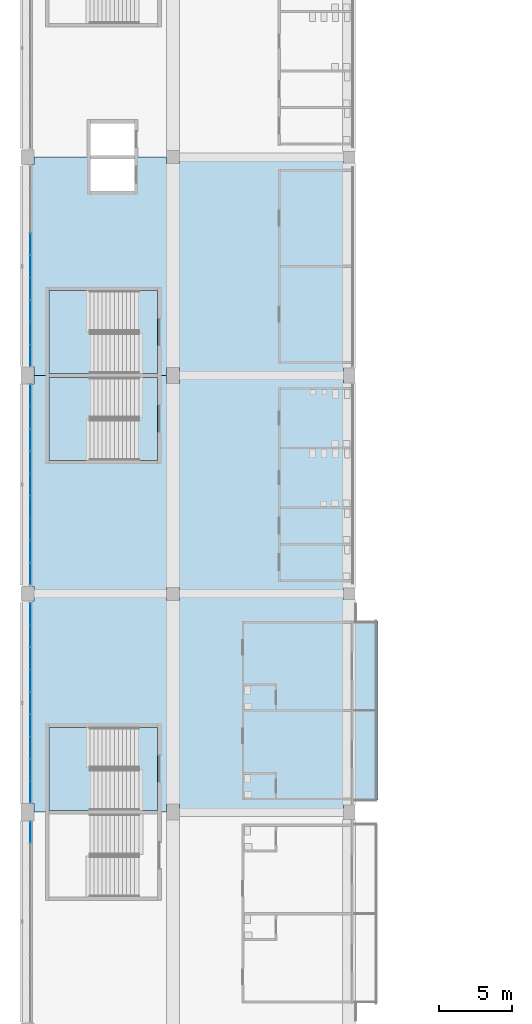
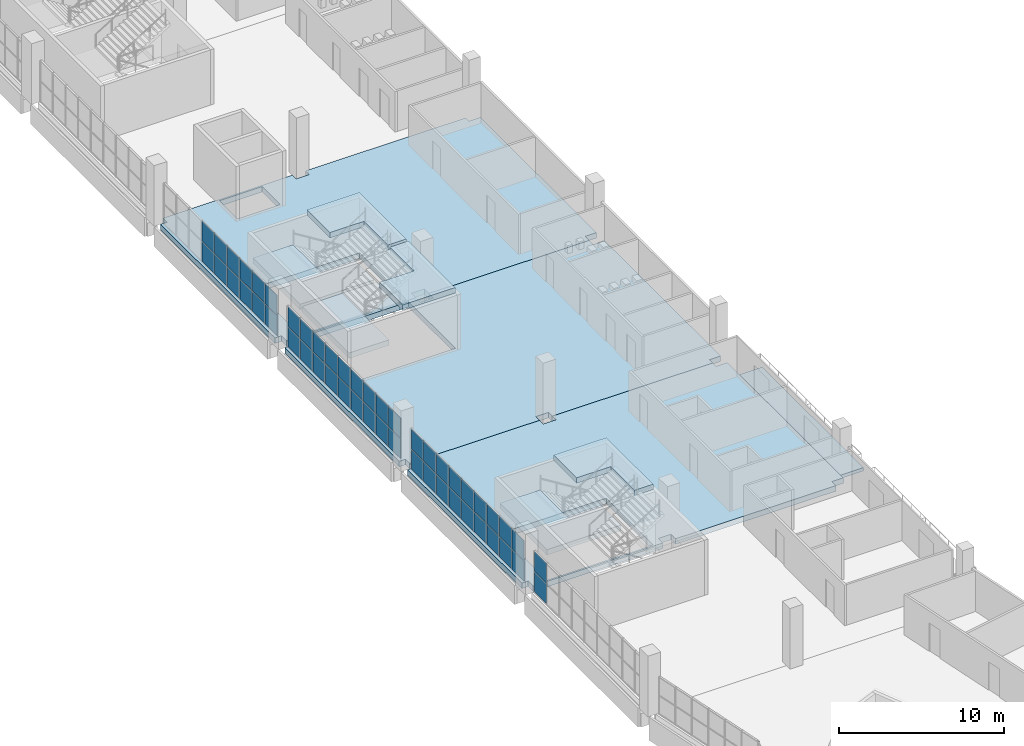
# One storey, part 60 of 199: 50 plates, 10 slabs, 7 elements without a shape of their own.
"""IFC4 building model written with IfcOpenShell, lengths in metres."""

from ifc_helpers import new_model, si_unit, direction, frame, origin, origin_2d, place, context, subcontext, project, spatial, polyline, rectangle, outline, extrude, material, layer, layer_set, type_object, element, aggregate, save


model = new_model("IFC4")

# Units and contexts
model_context = context("Model", 3, precision=1e-05, world=origin(), true_north=direction((0.0, 1.0)))
body_context = subcontext(model_context, "Body", "Model", "MODEL_VIEW")
ifc_project = project(units=[si_unit("LENGTHUNIT", "METRE"), si_unit("AREAUNIT", "SQUARE_METRE"), si_unit("VOLUMEUNIT", "CUBIC_METRE"), si_unit("PLANEANGLEUNIT", "RADIAN"), si_unit("MASSUNIT", "GRAM", prefix="KILO")], contexts=[model_context])

# Site, building, storey
site_placement = place(None, origin())
site = spatial("IfcSite", under=ifc_project, at=site_placement, CompositionType="ELEMENT")
building_placement = place(site_placement, origin())
building = spatial("IfcBuilding", under=site, at=building_placement, Name="Ogive Plaza Stadium", CompositionType="ELEMENT")
storey_placement = place(building_placement, frame((0.0, 0.0, 9.0)))
storey = spatial("IfcBuildingStorey", under=building, at=storey_placement, Name="L02", CompositionType="ELEMENT", Elevation=9.0)

# Slab
ifc_material_1 = material(Name="Concrete C40/50", Category="concrete")
ifc_layer_1 = layer(ifc_material_1, 0.25)
ifc_layer_set_1 = layer_set([ifc_layer_1], Name="Concrete C40/50")
slab_type_1 = type_object("IfcSlabType", Name="Balcony slab 250", PredefinedType="FLOOR", material=ifc_layer_set_1)
slab_1_placement = place(storey_placement, frame((0.0, 0.0, -0.25)))
element("IfcSlab", 1, at=slab_1_placement, inside=storey, type_object=slab_type_1, Name="Suite terrace slab B22", PredefinedType="FLOOR", context=body_context, shape_type="SweptSolid", body=[
    extrude(outline(polyline([(-59.89990234375, -24.375), (-61.5, -24.375), (-61.5, -36.675048828125), (-59.89990234375, -36.675048828125), (-59.89990234375, -24.375)])), origin(), (0.0, 0.0, 1.0), 0.25),
])

# Curtain wall, plates
ifc_material_2 = material(Name="Bronze-anodised aluminium with laminated glass", Category="aluminium")
curtain_wall_type = type_object("IfcCurtainWallType", Name="Lancet curtain wall", PredefinedType="NOTDEFINED", material=ifc_material_2)
curtain_wall_1_placement = place(storey_placement, origin())
curtain_wall_1 = element("IfcCurtainWall", 2, at=curtain_wall_1_placement, inside=storey, type_object=curtain_wall_type, Name="CURTAIN WALL B21 L02", PredefinedType="NOTDEFINED")
ifc_material_3 = material(Name="Laminated glass", Category="glass")
ifc_layer_2 = layer(ifc_material_3, 0.028076171875)
ifc_layer_set_2 = layer_set([ifc_layer_2], Name="Laminated glass panel 28")
plate_type = type_object("IfcPlateType", Name="Laminated glass panel 28", PredefinedType="CURTAIN_PANEL", material=ifc_layer_set_2)
plate_1_placement = place(storey_placement, frame((-83.800048828125, -38.879150390625, 0.0498046875), z_axis=(0.0, 0.0, 1.0), x_axis=(0.0, 1.0, 0.0)))
plate_1 = element("IfcPlate", 3, at=plate_1_placement, type_object=plate_type, Name="CW-B21-L02 panel 9.1", PredefinedType="CURTAIN_PANEL", context=body_context, shape_type="SweptSolid", body=[
    extrude(rectangle(XDim=1.458251953125, YDim=0.028076171875, at=origin_2d()), origin(), (0.0, 0.0, 1.0), 1.469970703125),
])
plate_2_placement = place(storey_placement, frame((-83.800048828125, -38.879150390625, 1.56982421875), z_axis=(0.0, 0.0, 1.0), x_axis=(0.0, 1.0, 0.0)))
plate_2 = element("IfcPlate", 4, at=plate_2_placement, type_object=plate_type, Name="CW-B21-L02 panel 9.2", PredefinedType="CURTAIN_PANEL", context=body_context, shape_type="SweptSolid", body=[
    extrude(rectangle(XDim=1.458251953125, YDim=0.028076171875, at=origin_2d()), origin(), (0.0, 0.0, 1.0), 1.469970703125),
])
aggregate(curtain_wall_1, [plate_1, plate_2])

curtain_wall_2_placement = place(storey_placement, origin())
curtain_wall_2 = element("IfcCurtainWall", 5, at=curtain_wall_2_placement, inside=storey, type_object=curtain_wall_type, Name="CURTAIN WALL B22 L02", PredefinedType="NOTDEFINED")
plate_3_placement = place(storey_placement, frame((-83.800048828125, -36.120849609375, 0.0498046875), z_axis=(0.0, 0.0, 1.0), x_axis=(0.0, 1.0, 0.0)))
plate_3 = element("IfcPlate", 6, at=plate_3_placement, type_object=plate_type, Name="CW-B22-L02 panel 1.1", PredefinedType="CURTAIN_PANEL", context=body_context, shape_type="SweptSolid", body=[
    extrude(rectangle(XDim=1.458251953125, YDim=0.028076171875, at=origin_2d()), origin(), (0.0, 0.0, 1.0), 1.469970703125),
])
plate_4_placement = place(storey_placement, frame((-83.800048828125, -36.120849609375, 1.56982421875), z_axis=(0.0, 0.0, 1.0), x_axis=(0.0, 1.0, 0.0)))
plate_4 = element("IfcPlate", 7, at=plate_4_placement, type_object=plate_type, Name="CW-B22-L02 panel 1.2", PredefinedType="CURTAIN_PANEL", context=body_context, shape_type="SweptSolid", body=[
    extrude(rectangle(XDim=1.458251953125, YDim=0.028076171875, at=origin_2d()), origin(), (0.0, 0.0, 1.0), 1.469970703125),
])
plate_5_placement = place(storey_placement, frame((-83.800048828125, -34.60009765625, 0.0498046875), z_axis=(0.0, 0.0, 1.0), x_axis=(0.0, 1.0, 0.0)))
plate_5 = element("IfcPlate", 8, at=plate_5_placement, type_object=plate_type, Name="CW-B22-L02 panel 2.1", PredefinedType="CURTAIN_PANEL", context=body_context, shape_type="SweptSolid", body=[
    extrude(rectangle(XDim=1.4833984375, YDim=0.028076171875, at=origin_2d()), origin(), (0.0, 0.0, 1.0), 1.469970703125),
])
plate_6_placement = place(storey_placement, frame((-83.800048828125, -34.60009765625, 1.56982421875), z_axis=(0.0, 0.0, 1.0), x_axis=(0.0, 1.0, 0.0)))
plate_6 = element("IfcPlate", 9, at=plate_6_placement, type_object=plate_type, Name="CW-B22-L02 panel 2.2", PredefinedType="CURTAIN_PANEL", context=body_context, shape_type="SweptSolid", body=[
    extrude(rectangle(XDim=1.4833984375, YDim=0.028076171875, at=origin_2d()), origin(), (0.0, 0.0, 1.0), 1.469970703125),
])
plate_7_placement = place(storey_placement, frame((-83.800048828125, -33.066650390625, 0.0498046875), z_axis=(0.0, 0.0, 1.0), x_axis=(0.0, 1.0, 0.0)))
plate_7 = element("IfcPlate", 10, at=plate_7_placement, type_object=plate_type, Name="CW-B22-L02 panel 3.1", PredefinedType="CURTAIN_PANEL", context=body_context, shape_type="SweptSolid", body=[
    extrude(rectangle(XDim=1.4833984375, YDim=0.028076171875, at=origin_2d()), origin(), (0.0, 0.0, 1.0), 1.469970703125),
])
plate_8_placement = place(storey_placement, frame((-83.800048828125, -33.066650390625, 1.56982421875), z_axis=(0.0, 0.0, 1.0), x_axis=(0.0, 1.0, 0.0)))
plate_8 = element("IfcPlate", 11, at=plate_8_placement, type_object=plate_type, Name="CW-B22-L02 panel 3.2", PredefinedType="CURTAIN_PANEL", context=body_context, shape_type="SweptSolid", body=[
    extrude(rectangle(XDim=1.4833984375, YDim=0.028076171875, at=origin_2d()), origin(), (0.0, 0.0, 1.0), 1.469970703125),
])
plate_9_placement = place(storey_placement, frame((-83.800048828125, -31.533447265625, 0.0498046875), z_axis=(0.0, 0.0, 1.0), x_axis=(0.0, 1.0, 0.0)))
plate_9 = element("IfcPlate", 12, at=plate_9_placement, type_object=plate_type, Name="CW-B22-L02 panel 4.1", PredefinedType="CURTAIN_PANEL", context=body_context, shape_type="SweptSolid", body=[
    extrude(rectangle(XDim=1.4833984375, YDim=0.028076171875, at=origin_2d()), origin(), (0.0, 0.0, 1.0), 1.469970703125),
])
plate_10_placement = place(storey_placement, frame((-83.800048828125, -31.533447265625, 1.56982421875), z_axis=(0.0, 0.0, 1.0), x_axis=(0.0, 1.0, 0.0)))
plate_10 = element("IfcPlate", 13, at=plate_10_placement, type_object=plate_type, Name="CW-B22-L02 panel 4.2", PredefinedType="CURTAIN_PANEL", context=body_context, shape_type="SweptSolid", body=[
    extrude(rectangle(XDim=1.4833984375, YDim=0.028076171875, at=origin_2d()), origin(), (0.0, 0.0, 1.0), 1.469970703125),
])
plate_11_placement = place(storey_placement, frame((-83.800048828125, -30.0, 0.0498046875), z_axis=(0.0, 0.0, 1.0), x_axis=(0.0, 1.0, 0.0)))
plate_11 = element("IfcPlate", 14, at=plate_11_placement, type_object=plate_type, Name="CW-B22-L02 panel 5.1", PredefinedType="CURTAIN_PANEL", context=body_context, shape_type="SweptSolid", body=[
    extrude(rectangle(XDim=1.4833984375, YDim=0.028076171875, at=origin_2d()), origin(), (0.0, 0.0, 1.0), 1.469970703125),
])
plate_12_placement = place(storey_placement, frame((-83.800048828125, -30.0, 1.56982421875), z_axis=(0.0, 0.0, 1.0), x_axis=(0.0, 1.0, 0.0)))
plate_12 = element("IfcPlate", 15, at=plate_12_placement, type_object=plate_type, Name="CW-B22-L02 panel 5.2", PredefinedType="CURTAIN_PANEL", context=body_context, shape_type="SweptSolid", body=[
    extrude(rectangle(XDim=1.4833984375, YDim=0.028076171875, at=origin_2d()), origin(), (0.0, 0.0, 1.0), 1.469970703125),
])
plate_13_placement = place(storey_placement, frame((-83.800048828125, -28.466552734375, 0.0498046875), z_axis=(0.0, 0.0, 1.0), x_axis=(0.0, 1.0, 0.0)))
plate_13 = element("IfcPlate", 16, at=plate_13_placement, type_object=plate_type, Name="CW-B22-L02 panel 6.1", PredefinedType="CURTAIN_PANEL", context=body_context, shape_type="SweptSolid", body=[
    extrude(rectangle(XDim=1.4833984375, YDim=0.028076171875, at=origin_2d()), origin(), (0.0, 0.0, 1.0), 1.469970703125),
])
plate_14_placement = place(storey_placement, frame((-83.800048828125, -28.466552734375, 1.56982421875), z_axis=(0.0, 0.0, 1.0), x_axis=(0.0, 1.0, 0.0)))
plate_14 = element("IfcPlate", 17, at=plate_14_placement, type_object=plate_type, Name="CW-B22-L02 panel 6.2", PredefinedType="CURTAIN_PANEL", context=body_context, shape_type="SweptSolid", body=[
    extrude(rectangle(XDim=1.4833984375, YDim=0.028076171875, at=origin_2d()), origin(), (0.0, 0.0, 1.0), 1.469970703125),
])
plate_15_placement = place(storey_placement, frame((-83.800048828125, -26.933349609375, 0.0498046875), z_axis=(0.0, 0.0, 1.0), x_axis=(0.0, 1.0, 0.0)))
plate_15 = element("IfcPlate", 18, at=plate_15_placement, type_object=plate_type, Name="CW-B22-L02 panel 7.1", PredefinedType="CURTAIN_PANEL", context=body_context, shape_type="SweptSolid", body=[
    extrude(rectangle(XDim=1.4833984375, YDim=0.028076171875, at=origin_2d()), origin(), (0.0, 0.0, 1.0), 1.469970703125),
])
plate_16_placement = place(storey_placement, frame((-83.800048828125, -26.933349609375, 1.56982421875), z_axis=(0.0, 0.0, 1.0), x_axis=(0.0, 1.0, 0.0)))
plate_16 = element("IfcPlate", 19, at=plate_16_placement, type_object=plate_type, Name="CW-B22-L02 panel 7.2", PredefinedType="CURTAIN_PANEL", context=body_context, shape_type="SweptSolid", body=[
    extrude(rectangle(XDim=1.4833984375, YDim=0.028076171875, at=origin_2d()), origin(), (0.0, 0.0, 1.0), 1.469970703125),
])
plate_17_placement = place(storey_placement, frame((-83.800048828125, -25.39990234375, 0.0498046875), z_axis=(0.0, 0.0, 1.0), x_axis=(0.0, 1.0, 0.0)))
plate_17 = element("IfcPlate", 20, at=plate_17_placement, type_object=plate_type, Name="CW-B22-L02 panel 8.1", PredefinedType="CURTAIN_PANEL", context=body_context, shape_type="SweptSolid", body=[
    extrude(rectangle(XDim=1.4833984375, YDim=0.028076171875, at=origin_2d()), origin(), (0.0, 0.0, 1.0), 1.469970703125),
])
plate_18_placement = place(storey_placement, frame((-83.800048828125, -25.39990234375, 1.56982421875), z_axis=(0.0, 0.0, 1.0), x_axis=(0.0, 1.0, 0.0)))
plate_18 = element("IfcPlate", 21, at=plate_18_placement, type_object=plate_type, Name="CW-B22-L02 panel 8.2", PredefinedType="CURTAIN_PANEL", context=body_context, shape_type="SweptSolid", body=[
    extrude(rectangle(XDim=1.4833984375, YDim=0.028076171875, at=origin_2d()), origin(), (0.0, 0.0, 1.0), 1.469970703125),
])
plate_19_placement = place(storey_placement, frame((-83.800048828125, -23.879150390625, 0.0498046875), z_axis=(0.0, 0.0, 1.0), x_axis=(0.0, 1.0, 0.0)))
plate_19 = element("IfcPlate", 22, at=plate_19_placement, type_object=plate_type, Name="CW-B22-L02 panel 9.1", PredefinedType="CURTAIN_PANEL", context=body_context, shape_type="SweptSolid", body=[
    extrude(rectangle(XDim=1.458251953125, YDim=0.028076171875, at=origin_2d()), origin(), (0.0, 0.0, 1.0), 1.469970703125),
])
plate_20_placement = place(storey_placement, frame((-83.800048828125, -23.879150390625, 1.56982421875), z_axis=(0.0, 0.0, 1.0), x_axis=(0.0, 1.0, 0.0)))
plate_20 = element("IfcPlate", 23, at=plate_20_placement, type_object=plate_type, Name="CW-B22-L02 panel 9.2", PredefinedType="CURTAIN_PANEL", context=body_context, shape_type="SweptSolid", body=[
    extrude(rectangle(XDim=1.458251953125, YDim=0.028076171875, at=origin_2d()), origin(), (0.0, 0.0, 1.0), 1.469970703125),
])
aggregate(curtain_wall_2, [plate_3, plate_4, plate_5, plate_6, plate_7, plate_8, plate_9, plate_10, plate_11, plate_12, plate_13, plate_14, plate_15, plate_16, plate_17, plate_18, plate_19, plate_20])

curtain_wall_3_placement = place(storey_placement, origin())
curtain_wall_3 = element("IfcCurtainWall", 24, at=curtain_wall_3_placement, inside=storey, type_object=curtain_wall_type, Name="CURTAIN WALL B23 L02", PredefinedType="NOTDEFINED")
plate_21_placement = place(storey_placement, frame((-83.800048828125, -21.120849609375, 0.0498046875), z_axis=(0.0, 0.0, 1.0), x_axis=(0.0, 1.0, 0.0)))
plate_21 = element("IfcPlate", 25, at=plate_21_placement, type_object=plate_type, Name="CW-B23-L02 panel 1.1", PredefinedType="CURTAIN_PANEL", context=body_context, shape_type="SweptSolid", body=[
    extrude(rectangle(XDim=1.458251953125, YDim=0.028076171875, at=origin_2d()), origin(), (0.0, 0.0, 1.0), 1.469970703125),
])
plate_22_placement = place(storey_placement, frame((-83.800048828125, -21.120849609375, 1.56982421875), z_axis=(0.0, 0.0, 1.0), x_axis=(0.0, 1.0, 0.0)))
plate_22 = element("IfcPlate", 26, at=plate_22_placement, type_object=plate_type, Name="CW-B23-L02 panel 1.2", PredefinedType="CURTAIN_PANEL", context=body_context, shape_type="SweptSolid", body=[
    extrude(rectangle(XDim=1.458251953125, YDim=0.028076171875, at=origin_2d()), origin(), (0.0, 0.0, 1.0), 1.469970703125),
])
plate_23_placement = place(storey_placement, frame((-83.800048828125, -19.60009765625, 0.0498046875), z_axis=(0.0, 0.0, 1.0), x_axis=(0.0, 1.0, 0.0)))
plate_23 = element("IfcPlate", 27, at=plate_23_placement, type_object=plate_type, Name="CW-B23-L02 panel 2.1", PredefinedType="CURTAIN_PANEL", context=body_context, shape_type="SweptSolid", body=[
    extrude(rectangle(XDim=1.4833984375, YDim=0.028076171875, at=origin_2d()), origin(), (0.0, 0.0, 1.0), 1.469970703125),
])
plate_24_placement = place(storey_placement, frame((-83.800048828125, -19.60009765625, 1.56982421875), z_axis=(0.0, 0.0, 1.0), x_axis=(0.0, 1.0, 0.0)))
plate_24 = element("IfcPlate", 28, at=plate_24_placement, type_object=plate_type, Name="CW-B23-L02 panel 2.2", PredefinedType="CURTAIN_PANEL", context=body_context, shape_type="SweptSolid", body=[
    extrude(rectangle(XDim=1.4833984375, YDim=0.028076171875, at=origin_2d()), origin(), (0.0, 0.0, 1.0), 1.469970703125),
])
plate_25_placement = place(storey_placement, frame((-83.800048828125, -18.066650390625, 0.0498046875), z_axis=(0.0, 0.0, 1.0), x_axis=(0.0, 1.0, 0.0)))
plate_25 = element("IfcPlate", 29, at=plate_25_placement, type_object=plate_type, Name="CW-B23-L02 panel 3.1", PredefinedType="CURTAIN_PANEL", context=body_context, shape_type="SweptSolid", body=[
    extrude(rectangle(XDim=1.4833984375, YDim=0.028076171875, at=origin_2d()), origin(), (0.0, 0.0, 1.0), 1.469970703125),
])
plate_26_placement = place(storey_placement, frame((-83.800048828125, -18.066650390625, 1.56982421875), z_axis=(0.0, 0.0, 1.0), x_axis=(0.0, 1.0, 0.0)))
plate_26 = element("IfcPlate", 30, at=plate_26_placement, type_object=plate_type, Name="CW-B23-L02 panel 3.2", PredefinedType="CURTAIN_PANEL", context=body_context, shape_type="SweptSolid", body=[
    extrude(rectangle(XDim=1.4833984375, YDim=0.028076171875, at=origin_2d()), origin(), (0.0, 0.0, 1.0), 1.469970703125),
])
plate_27_placement = place(storey_placement, frame((-83.800048828125, -16.533447265625, 0.0498046875), z_axis=(0.0, 0.0, 1.0), x_axis=(0.0, 1.0, 0.0)))
plate_27 = element("IfcPlate", 31, at=plate_27_placement, type_object=plate_type, Name="CW-B23-L02 panel 4.1", PredefinedType="CURTAIN_PANEL", context=body_context, shape_type="SweptSolid", body=[
    extrude(rectangle(XDim=1.4833984375, YDim=0.028076171875, at=origin_2d()), origin(), (0.0, 0.0, 1.0), 1.469970703125),
])
plate_28_placement = place(storey_placement, frame((-83.800048828125, -16.533447265625, 1.56982421875), z_axis=(0.0, 0.0, 1.0), x_axis=(0.0, 1.0, 0.0)))
plate_28 = element("IfcPlate", 32, at=plate_28_placement, type_object=plate_type, Name="CW-B23-L02 panel 4.2", PredefinedType="CURTAIN_PANEL", context=body_context, shape_type="SweptSolid", body=[
    extrude(rectangle(XDim=1.4833984375, YDim=0.028076171875, at=origin_2d()), origin(), (0.0, 0.0, 1.0), 1.469970703125),
])
plate_29_placement = place(storey_placement, frame((-83.800048828125, -15.0, 0.0498046875), z_axis=(0.0, 0.0, 1.0), x_axis=(0.0, 1.0, 0.0)))
plate_29 = element("IfcPlate", 33, at=plate_29_placement, type_object=plate_type, Name="CW-B23-L02 panel 5.1", PredefinedType="CURTAIN_PANEL", context=body_context, shape_type="SweptSolid", body=[
    extrude(rectangle(XDim=1.4833984375, YDim=0.028076171875, at=origin_2d()), origin(), (0.0, 0.0, 1.0), 1.469970703125),
])
plate_30_placement = place(storey_placement, frame((-83.800048828125, -15.0, 1.56982421875), z_axis=(0.0, 0.0, 1.0), x_axis=(0.0, 1.0, 0.0)))
plate_30 = element("IfcPlate", 34, at=plate_30_placement, type_object=plate_type, Name="CW-B23-L02 panel 5.2", PredefinedType="CURTAIN_PANEL", context=body_context, shape_type="SweptSolid", body=[
    extrude(rectangle(XDim=1.4833984375, YDim=0.028076171875, at=origin_2d()), origin(), (0.0, 0.0, 1.0), 1.469970703125),
])
plate_31_placement = place(storey_placement, frame((-83.800048828125, -13.466552734375, 0.0498046875), z_axis=(0.0, 0.0, 1.0), x_axis=(0.0, 1.0, 0.0)))
plate_31 = element("IfcPlate", 35, at=plate_31_placement, type_object=plate_type, Name="CW-B23-L02 panel 6.1", PredefinedType="CURTAIN_PANEL", context=body_context, shape_type="SweptSolid", body=[
    extrude(rectangle(XDim=1.4833984375, YDim=0.028076171875, at=origin_2d()), origin(), (0.0, 0.0, 1.0), 1.469970703125),
])
plate_32_placement = place(storey_placement, frame((-83.800048828125, -13.466552734375, 1.56982421875), z_axis=(0.0, 0.0, 1.0), x_axis=(0.0, 1.0, 0.0)))
plate_32 = element("IfcPlate", 36, at=plate_32_placement, type_object=plate_type, Name="CW-B23-L02 panel 6.2", PredefinedType="CURTAIN_PANEL", context=body_context, shape_type="SweptSolid", body=[
    extrude(rectangle(XDim=1.4833984375, YDim=0.028076171875, at=origin_2d()), origin(), (0.0, 0.0, 1.0), 1.469970703125),
])
plate_33_placement = place(storey_placement, frame((-83.800048828125, -11.933349609375, 0.0498046875), z_axis=(0.0, 0.0, 1.0), x_axis=(0.0, 1.0, 0.0)))
plate_33 = element("IfcPlate", 37, at=plate_33_placement, type_object=plate_type, Name="CW-B23-L02 panel 7.1", PredefinedType="CURTAIN_PANEL", context=body_context, shape_type="SweptSolid", body=[
    extrude(rectangle(XDim=1.4833984375, YDim=0.028076171875, at=origin_2d()), origin(), (0.0, 0.0, 1.0), 1.469970703125),
])
plate_34_placement = place(storey_placement, frame((-83.800048828125, -11.933349609375, 1.56982421875), z_axis=(0.0, 0.0, 1.0), x_axis=(0.0, 1.0, 0.0)))
plate_34 = element("IfcPlate", 38, at=plate_34_placement, type_object=plate_type, Name="CW-B23-L02 panel 7.2", PredefinedType="CURTAIN_PANEL", context=body_context, shape_type="SweptSolid", body=[
    extrude(rectangle(XDim=1.4833984375, YDim=0.028076171875, at=origin_2d()), origin(), (0.0, 0.0, 1.0), 1.469970703125),
])
plate_35_placement = place(storey_placement, frame((-83.800048828125, -10.39990234375, 0.0498046875), z_axis=(0.0, 0.0, 1.0), x_axis=(0.0, 1.0, 0.0)))
plate_35 = element("IfcPlate", 39, at=plate_35_placement, type_object=plate_type, Name="CW-B23-L02 panel 8.1", PredefinedType="CURTAIN_PANEL", context=body_context, shape_type="SweptSolid", body=[
    extrude(rectangle(XDim=1.4833984375, YDim=0.028076171875, at=origin_2d()), origin(), (0.0, 0.0, 1.0), 1.469970703125),
])
plate_36_placement = place(storey_placement, frame((-83.800048828125, -10.39990234375, 1.56982421875), z_axis=(0.0, 0.0, 1.0), x_axis=(0.0, 1.0, 0.0)))
plate_36 = element("IfcPlate", 40, at=plate_36_placement, type_object=plate_type, Name="CW-B23-L02 panel 8.2", PredefinedType="CURTAIN_PANEL", context=body_context, shape_type="SweptSolid", body=[
    extrude(rectangle(XDim=1.4833984375, YDim=0.028076171875, at=origin_2d()), origin(), (0.0, 0.0, 1.0), 1.469970703125),
])
plate_37_placement = place(storey_placement, frame((-83.800048828125, -8.879150390625, 0.0498046875), z_axis=(0.0, 0.0, 1.0), x_axis=(0.0, 1.0, 0.0)))
plate_37 = element("IfcPlate", 41, at=plate_37_placement, type_object=plate_type, Name="CW-B23-L02 panel 9.1", PredefinedType="CURTAIN_PANEL", context=body_context, shape_type="SweptSolid", body=[
    extrude(rectangle(XDim=1.458251953125, YDim=0.028076171875, at=origin_2d()), origin(), (0.0, 0.0, 1.0), 1.469970703125),
])
plate_38_placement = place(storey_placement, frame((-83.800048828125, -8.879150390625, 1.56982421875), z_axis=(0.0, 0.0, 1.0), x_axis=(0.0, 1.0, 0.0)))
plate_38 = element("IfcPlate", 42, at=plate_38_placement, type_object=plate_type, Name="CW-B23-L02 panel 9.2", PredefinedType="CURTAIN_PANEL", context=body_context, shape_type="SweptSolid", body=[
    extrude(rectangle(XDim=1.458251953125, YDim=0.028076171875, at=origin_2d()), origin(), (0.0, 0.0, 1.0), 1.469970703125),
])
aggregate(curtain_wall_3, [plate_21, plate_22, plate_23, plate_24, plate_25, plate_26, plate_27, plate_28, plate_29, plate_30, plate_31, plate_32, plate_33, plate_34, plate_35, plate_36, plate_37, plate_38])

curtain_wall_4_placement = place(storey_placement, origin())
curtain_wall_4 = element("IfcCurtainWall", 43, at=curtain_wall_4_placement, inside=storey, type_object=curtain_wall_type, Name="CURTAIN WALL B24 L02", PredefinedType="NOTDEFINED")
plate_39_placement = place(storey_placement, frame((-83.800048828125, -6.120849609375, 0.0498046875), z_axis=(0.0, 0.0, 1.0), x_axis=(0.0, 1.0, 0.0)))
plate_39 = element("IfcPlate", 44, at=plate_39_placement, type_object=plate_type, Name="CW-B24-L02 panel 1.1", PredefinedType="CURTAIN_PANEL", context=body_context, shape_type="SweptSolid", body=[
    extrude(rectangle(XDim=1.458251953125, YDim=0.028076171875, at=origin_2d()), origin(), (0.0, 0.0, 1.0), 1.469970703125),
])
plate_40_placement = place(storey_placement, frame((-83.800048828125, -6.120849609375, 1.56982421875), z_axis=(0.0, 0.0, 1.0), x_axis=(0.0, 1.0, 0.0)))
plate_40 = element("IfcPlate", 45, at=plate_40_placement, type_object=plate_type, Name="CW-B24-L02 panel 1.2", PredefinedType="CURTAIN_PANEL", context=body_context, shape_type="SweptSolid", body=[
    extrude(rectangle(XDim=1.458251953125, YDim=0.028076171875, at=origin_2d()), origin(), (0.0, 0.0, 1.0), 1.469970703125),
])
plate_41_placement = place(storey_placement, frame((-83.800048828125, -4.60009765625, 0.0498046875), z_axis=(0.0, 0.0, 1.0), x_axis=(0.0, 1.0, 0.0)))
plate_41 = element("IfcPlate", 46, at=plate_41_placement, type_object=plate_type, Name="CW-B24-L02 panel 2.1", PredefinedType="CURTAIN_PANEL", context=body_context, shape_type="SweptSolid", body=[
    extrude(rectangle(XDim=1.4833984375, YDim=0.028076171875, at=origin_2d()), origin(), (0.0, 0.0, 1.0), 1.469970703125),
])
plate_42_placement = place(storey_placement, frame((-83.800048828125, -4.60009765625, 1.56982421875), z_axis=(0.0, 0.0, 1.0), x_axis=(0.0, 1.0, 0.0)))
plate_42 = element("IfcPlate", 47, at=plate_42_placement, type_object=plate_type, Name="CW-B24-L02 panel 2.2", PredefinedType="CURTAIN_PANEL", context=body_context, shape_type="SweptSolid", body=[
    extrude(rectangle(XDim=1.4833984375, YDim=0.028076171875, at=origin_2d()), origin(), (0.0, 0.0, 1.0), 1.469970703125),
])
plate_43_placement = place(storey_placement, frame((-83.800048828125, -3.066650390625, 0.0498046875), z_axis=(0.0, 0.0, 1.0), x_axis=(0.0, 1.0, 0.0)))
plate_43 = element("IfcPlate", 48, at=plate_43_placement, type_object=plate_type, Name="CW-B24-L02 panel 3.1", PredefinedType="CURTAIN_PANEL", context=body_context, shape_type="SweptSolid", body=[
    extrude(rectangle(XDim=1.4833984375, YDim=0.028076171875, at=origin_2d()), origin(), (0.0, 0.0, 1.0), 1.469970703125),
])
plate_44_placement = place(storey_placement, frame((-83.800048828125, -3.066650390625, 1.56982421875), z_axis=(0.0, 0.0, 1.0), x_axis=(0.0, 1.0, 0.0)))
plate_44 = element("IfcPlate", 49, at=plate_44_placement, type_object=plate_type, Name="CW-B24-L02 panel 3.2", PredefinedType="CURTAIN_PANEL", context=body_context, shape_type="SweptSolid", body=[
    extrude(rectangle(XDim=1.4833984375, YDim=0.028076171875, at=origin_2d()), origin(), (0.0, 0.0, 1.0), 1.469970703125),
])
plate_45_placement = place(storey_placement, frame((-83.800048828125, -1.533447265625, 0.0498046875), z_axis=(0.0, 0.0, 1.0), x_axis=(0.0, 1.0, 0.0)))
plate_45 = element("IfcPlate", 50, at=plate_45_placement, type_object=plate_type, Name="CW-B24-L02 panel 4.1", PredefinedType="CURTAIN_PANEL", context=body_context, shape_type="SweptSolid", body=[
    extrude(rectangle(XDim=1.4833984375, YDim=0.028076171875, at=origin_2d()), origin(), (0.0, 0.0, 1.0), 1.469970703125),
])
plate_46_placement = place(storey_placement, frame((-83.800048828125, -1.533447265625, 1.56982421875), z_axis=(0.0, 0.0, 1.0), x_axis=(0.0, 1.0, 0.0)))
plate_46 = element("IfcPlate", 51, at=plate_46_placement, type_object=plate_type, Name="CW-B24-L02 panel 4.2", PredefinedType="CURTAIN_PANEL", context=body_context, shape_type="SweptSolid", body=[
    extrude(rectangle(XDim=1.4833984375, YDim=0.028076171875, at=origin_2d()), origin(), (0.0, 0.0, 1.0), 1.469970703125),
])
plate_47_placement = place(storey_placement, frame((-83.800048828125, 0.0, 0.0498046875), z_axis=(0.0, 0.0, 1.0), x_axis=(0.0, 1.0, 0.0)))
plate_47 = element("IfcPlate", 52, at=plate_47_placement, type_object=plate_type, Name="CW-B24-L02 panel 5.1", PredefinedType="CURTAIN_PANEL", context=body_context, shape_type="SweptSolid", body=[
    extrude(rectangle(XDim=1.4833984375, YDim=0.028076171875, at=origin_2d()), origin(), (0.0, 0.0, 1.0), 1.469970703125),
])
plate_48_placement = place(storey_placement, frame((-83.800048828125, 0.0, 1.56982421875), z_axis=(0.0, 0.0, 1.0), x_axis=(0.0, 1.0, 0.0)))
plate_48 = element("IfcPlate", 53, at=plate_48_placement, type_object=plate_type, Name="CW-B24-L02 panel 5.2", PredefinedType="CURTAIN_PANEL", context=body_context, shape_type="SweptSolid", body=[
    extrude(rectangle(XDim=1.4833984375, YDim=0.028076171875, at=origin_2d()), origin(), (0.0, 0.0, 1.0), 1.469970703125),
])
plate_49_placement = place(storey_placement, frame((-83.800048828125, 1.533447265625, 0.0498046875), z_axis=(0.0, 0.0, 1.0), x_axis=(0.0, 1.0, 0.0)))
plate_49 = element("IfcPlate", 54, at=plate_49_placement, type_object=plate_type, Name="CW-B24-L02 panel 6.1", PredefinedType="CURTAIN_PANEL", context=body_context, shape_type="SweptSolid", body=[
    extrude(rectangle(XDim=1.4833984375, YDim=0.028076171875, at=origin_2d()), origin(), (0.0, 0.0, 1.0), 1.469970703125),
])
plate_50_placement = place(storey_placement, frame((-83.800048828125, 1.533447265625, 1.56982421875), z_axis=(0.0, 0.0, 1.0), x_axis=(0.0, 1.0, 0.0)))
plate_50 = element("IfcPlate", 55, at=plate_50_placement, type_object=plate_type, Name="CW-B24-L02 panel 6.2", PredefinedType="CURTAIN_PANEL", context=body_context, shape_type="SweptSolid", body=[
    extrude(rectangle(XDim=1.4833984375, YDim=0.028076171875, at=origin_2d()), origin(), (0.0, 0.0, 1.0), 1.469970703125),
])
aggregate(curtain_wall_4, [plate_39, plate_40, plate_41, plate_42, plate_43, plate_44, plate_45, plate_46, plate_47, plate_48, plate_49, plate_50])

# Slabs
ifc_material_4 = material(Name="Concrete C40/50", Category="concrete")
ifc_layer_3 = layer(ifc_material_4, 0.409912109375)
ifc_layer_set_3 = layer_set([ifc_layer_3], Name="Concrete C40/50")
slab_type_2 = type_object("IfcSlabType", Name="RC floor slab 410", PredefinedType="FLOOR", material=ifc_layer_set_3)
slab_2_placement = place(storey_placement, frame((0.0, 0.0, -0.409912109375)))
element("IfcSlab", 56, at=slab_2_placement, inside=storey, type_object=slab_type_2, Name="Floor slab L02 B22", PredefinedType="FLOOR", context=body_context, shape_type="SweptSolid", body=[
    extrude(outline(polyline([(-73.550048828125, -22.5), (-73.550048828125, -22.949951171875), (-74.449951171875, -22.949951171875), (-74.449951171875, -22.5), (-83.550048828125, -22.5), (-83.550048828125, -23.0), (-84.0, -23.0), (-84.0, -36.89990234375), (-83.550048828125, -36.89990234375), (-83.550048828125, -37.5), (-74.449951171875, -37.5), (-74.449951171875, -36.949951171875), (-73.550048828125, -36.949951171875), (-73.550048828125, -37.5), (-62.300048828125, -37.5), (-62.300048828125, -37.0), (-61.5, -37.0), (-61.5, -22.89990234375), (-62.300048828125, -22.89990234375), (-62.300048828125, -22.5), (-73.550048828125, -22.5)]), holes=[polyline([(-75.050048828125, -37.375), (-75.050048828125, -31.675048828125), (-82.510009765625, -31.675048828125), (-82.510009765625, -37.375), (-75.050048828125, -37.375)])]), origin(), (0.0, 0.0, 1.0), 0.409912109375),
])
slab_3_placement = place(storey_placement, frame((0.0, 0.0, -0.409912109375)))
element("IfcSlab", 57, at=slab_3_placement, inside=storey, type_object=slab_type_2, Name="Floor slab L02 B23", PredefinedType="FLOOR", context=body_context, shape_type="SweptSolid", body=[
    extrude(outline(polyline([(-73.550048828125, -7.5), (-73.550048828125, -8.050048828125), (-74.449951171875, -8.050048828125), (-74.449951171875, -7.5), (-83.550048828125, -7.5), (-83.550048828125, -8.10009765625), (-84.0, -8.10009765625), (-84.0, -22.0), (-83.550048828125, -22.0), (-83.550048828125, -22.5), (-74.449951171875, -22.5), (-74.449951171875, -22.050048828125), (-73.550048828125, -22.050048828125), (-73.550048828125, -22.5), (-62.300048828125, -22.5), (-62.300048828125, -22.10009765625), (-61.5, -22.10009765625), (-61.5, -8.0), (-62.300048828125, -8.0), (-62.300048828125, -7.5), (-73.550048828125, -7.5)]), holes=[polyline([(-75.050048828125, -13.324951171875), (-75.050048828125, -7.625), (-82.510009765625, -7.625), (-82.510009765625, -13.324951171875), (-75.050048828125, -13.324951171875)])]), origin(), (0.0, 0.0, 1.0), 0.409912109375),
])
slab_4_placement = place(storey_placement, frame((0.0, 0.0, -0.409912109375)))
element("IfcSlab", 58, at=slab_4_placement, inside=storey, type_object=slab_type_2, Name="Floor slab L02 B24", PredefinedType="FLOOR", context=body_context, shape_type="SweptSolid", body=[
    extrude(outline(polyline([(-73.550048828125, 7.5), (-73.550048828125, 7.050048828125), (-74.449951171875, 7.050048828125), (-74.449951171875, 7.5), (-83.550048828125, 7.5), (-83.550048828125, 7.0), (-84.0, 7.0), (-84.0, -6.89990234375), (-83.550048828125, -6.89990234375), (-83.550048828125, -7.5), (-74.449951171875, -7.5), (-74.449951171875, -6.949951171875), (-73.550048828125, -6.949951171875), (-73.550048828125, -7.5), (-62.300048828125, -7.5), (-62.300048828125, -7.0), (-61.5, -7.0), (-61.5, 7.10009765625), (-62.300048828125, 7.10009765625), (-62.300048828125, 7.5), (-73.550048828125, 7.5)]), holes=[polyline([(-75.050048828125, -7.375), (-75.050048828125, -1.675048828125), (-82.510009765625, -1.675048828125), (-82.510009765625, -7.375), (-75.050048828125, -7.375)]), polyline([(-76.64990234375, 5.175048828125), (-76.64990234375, 7.375), (-79.64990234375, 7.375), (-79.64990234375, 5.175048828125), (-76.64990234375, 5.175048828125)])]), origin(), (0.0, 0.0, 1.0), 0.409912109375),
])

# Stair, slabs
ifc_material_5 = material(Name="Concrete C40/50", Category="concrete")
stair_type = type_object("IfcStairType", Name="Exit stair", PredefinedType="STRAIGHT_RUN_STAIR", material=ifc_material_5)
stair_1_placement = place(storey_placement, origin())
stair_1 = element("IfcStair", 59, at=stair_1_placement, inside=storey, type_object=stair_type, Name="Exit stair ST22A L02 to L03", PredefinedType="STRAIGHT_RUN_STAIR")
ifc_material_6 = material(Name="Concrete C40/50", Category="concrete")
ifc_layer_4 = layer(ifc_material_6, 0.39990234375)
ifc_layer_set_4 = layer_set([ifc_layer_4], Name="Concrete C40/50")
slab_type_3 = type_object("IfcSlabType", Name="Stair landing", PredefinedType="LANDING", material=ifc_layer_set_4)
slab_5_placement = place(storey_placement, frame((0.0, 0.0, 1.85009765625)))
slab_5 = element("IfcSlab", 60, at=slab_5_placement, type_object=slab_type_3, Name="ST22A landing 1", PredefinedType="LANDING", context=body_context, shape_type="SweptSolid", body=[
    extrude(outline(polyline([(-82.510009765625, -37.375), (-82.510009765625, -31.675048828125), (-79.7099609375, -31.675048828125), (-79.7099609375, -34.574951171875), (-77.31005859375, -34.574951171875), (-77.31005859375, -37.375), (-79.7099609375, -37.375), (-82.510009765625, -37.375)])), origin(), (0.0, 0.0, 1.0), 0.39990234375),
])
slab_6_placement = place(storey_placement, frame((0.0, 0.0, 4.10009765625)))
slab_6 = element("IfcSlab", 61, at=slab_6_placement, type_object=slab_type_3, Name="ST22A landing 2", PredefinedType="LANDING", context=body_context, shape_type="SweptSolid", body=[
    extrude(outline(polyline([(-78.75, -34.47509765625), (-78.75, -31.675048828125), (-76.35009765625, -31.675048828125), (-75.050048828125, -31.675048828125), (-75.050048828125, -37.375), (-76.35009765625, -37.375), (-76.35009765625, -34.47509765625), (-78.75, -34.47509765625)])), origin(), (0.0, 0.0, 1.0), 0.39990234375),
])
aggregate(stair_1, [slab_5, slab_6])

stair_2_placement = place(storey_placement, origin())
stair_2 = element("IfcStair", 62, at=stair_2_placement, inside=storey, type_object=stair_type, Name="Exit stair ST24A L02 to L03", PredefinedType="STRAIGHT_RUN_STAIR")
slab_7_placement = place(storey_placement, frame((0.0, 0.0, 1.85009765625)))
slab_7 = element("IfcSlab", 63, at=slab_7_placement, type_object=slab_type_3, Name="ST24A landing 1", PredefinedType="LANDING", context=body_context, shape_type="SweptSolid", body=[
    extrude(outline(polyline([(-82.510009765625, -7.375), (-82.510009765625, -1.675048828125), (-79.7099609375, -1.675048828125), (-79.7099609375, -4.574951171875), (-77.31005859375, -4.574951171875), (-77.31005859375, -7.375), (-79.7099609375, -7.375), (-82.510009765625, -7.375)])), origin(), (0.0, 0.0, 1.0), 0.39990234375),
])
slab_8_placement = place(storey_placement, frame((0.0, 0.0, 4.10009765625)))
slab_8 = element("IfcSlab", 64, at=slab_8_placement, type_object=slab_type_3, Name="ST24A landing 2", PredefinedType="LANDING", context=body_context, shape_type="SweptSolid", body=[
    extrude(outline(polyline([(-78.75, -4.47509765625), (-78.75, -1.675048828125), (-76.35009765625, -1.675048828125), (-75.050048828125, -1.675048828125), (-75.050048828125, -7.375), (-76.35009765625, -7.375), (-76.35009765625, -4.47509765625), (-78.75, -4.47509765625)])), origin(), (0.0, 0.0, 1.0), 0.39990234375),
])
aggregate(stair_2, [slab_7, slab_8])

stair_3_placement = place(storey_placement, origin())
stair_3 = element("IfcStair", 65, at=stair_3_placement, inside=storey, type_object=stair_type, Name="Exit stair ST24B L02 to L03", PredefinedType="STRAIGHT_RUN_STAIR")
slab_9_placement = place(storey_placement, frame((0.0, 0.0, 1.85009765625)))
slab_9 = element("IfcSlab", 66, at=slab_9_placement, type_object=slab_type_3, Name="ST24B landing 1", PredefinedType="LANDING", context=body_context, shape_type="SweptSolid", body=[
    extrude(outline(polyline([(-77.31005859375, -7.625), (-77.31005859375, -10.425048828125), (-79.7099609375, -10.425048828125), (-79.7099609375, -13.324951171875), (-82.510009765625, -13.324951171875), (-82.510009765625, -7.625), (-79.7099609375, -7.625), (-77.31005859375, -7.625)])), origin(), (0.0, 0.0, 1.0), 0.39990234375),
])
slab_10_placement = place(storey_placement, frame((0.0, 0.0, 4.10009765625)))
slab_10 = element("IfcSlab", 67, at=slab_10_placement, type_object=slab_type_3, Name="ST24B landing 2", PredefinedType="LANDING", context=body_context, shape_type="SweptSolid", body=[
    extrude(outline(polyline([(-76.35009765625, -7.625), (-75.050048828125, -7.625), (-75.050048828125, -13.324951171875), (-76.35009765625, -13.324951171875), (-78.75, -13.324951171875), (-78.75, -10.52490234375), (-76.35009765625, -10.52490234375), (-76.35009765625, -7.625)])), origin(), (0.0, 0.0, 1.0), 0.39990234375),
])
aggregate(stair_3, [slab_9, slab_10])

save(model, "model.ifc")
